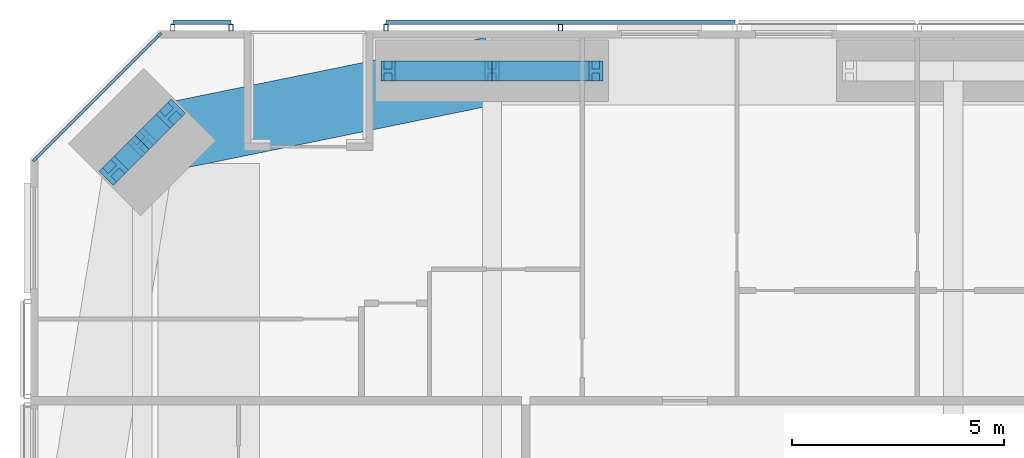
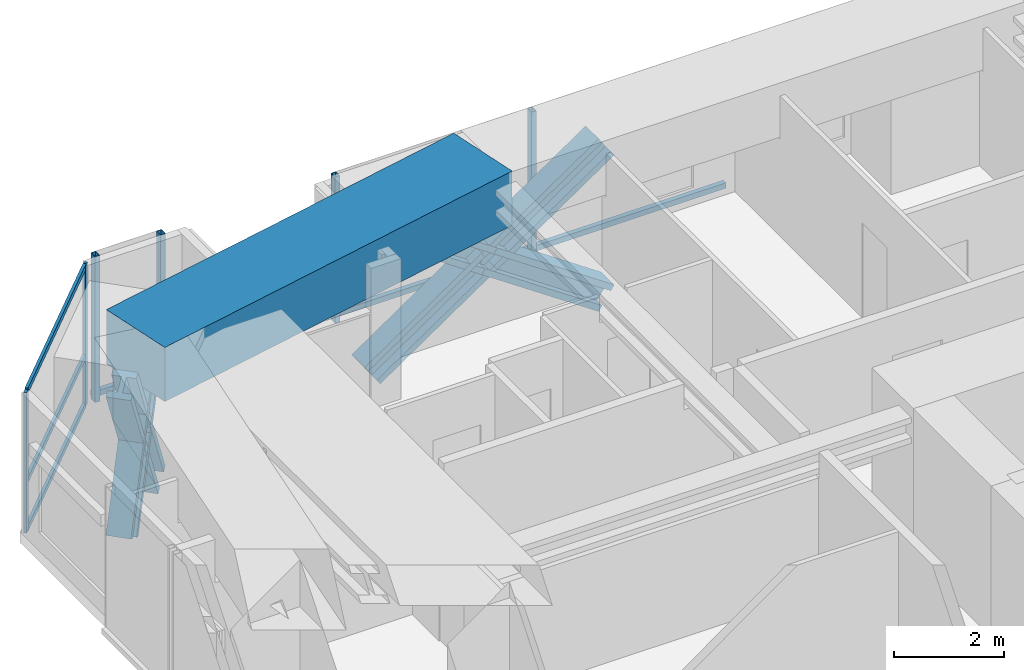
# One storey, part 11 of 23: 19 members, 1 beam, 3 elements without a shape of their own.
"""IFC4 building model written with IfcOpenShell, lengths in metres."""

import ifcopenshell
import ifcopenshell.guid

model = None  # the IFC model being written
_history = None  # IfcOwnerHistory: only IFC2X3 demands one
_inside = {}  # id of a spatial element -> (the spatial element, [elements in it])
_under = {}  # id of a project, library or spatial element -> (it, [spatial elements below it])
_declared = {}  # id of a project -> (the project, [libraries it declares])
_typed = {}  # id of a type object -> (the type object, [elements of that type])
_made_of = {}  # id of a material, layer set ... -> (it, [elements and type objects made of it])


def new_model(schema):
    """Start an empty IFC model of exactly this schema.

    Asked for "IFC4X3", IfcOpenShell would pick the latest addendum, in which some entities
    have other attributes; the version numbers below select the first issue.
    IFC2X3 requires an IfcOwnerHistory on every rooted entity: one is made here for all.
    """
    global model, _history
    if schema == "IFC4X3":
        model = ifcopenshell.file(schema_version=(4, 3, 0, 0))
    else:
        model = ifcopenshell.file(schema=schema)
    _inside.clear()
    _under.clear()
    _declared.clear()
    _typed.clear()
    _made_of.clear()
    _history = None
    if model.schema == "IFC2X3":
        org = make("IfcOrganization", Name="unknown")
        user = make(
            "IfcPersonAndOrganization",
            ThePerson=make("IfcPerson", FamilyName="unknown"),
            TheOrganization=org,
        )
        app = make(
            "IfcApplication",
            ApplicationDeveloper=org,
            Version="unknown",
            ApplicationFullName="unknown",
            ApplicationIdentifier="unknown",
        )
        _history = make(
            "IfcOwnerHistory",
            OwningUser=user,
            OwningApplication=app,
            ChangeAction="ADDED",
            CreationDate=0,
        )
    return model


def make(cls, **values):
    """One entity of the class cls with the attributes given. An attribute that is None is left unset."""
    return model.create_entity(
        cls, **{name: value for name, value in values.items() if value is not None}
    )


def rooted(cls, **values):
    """An entity with a GlobalId (a new one), such as an element, a storey or a relation."""
    return make(cls, GlobalId=ifcopenshell.guid.new(), OwnerHistory=_history, **values)


def si_unit(unit_type, name, prefix=None):
    """IfcSIUnit, for example si_unit("LENGTHUNIT", "METRE", prefix="MILLI")."""
    return make("IfcSIUnit", UnitType=unit_type, Prefix=prefix, Name=name)


def assignment(units):
    """IfcUnitAssignment: the units of a project."""
    return None if units is None else make("IfcUnitAssignment", Units=units)


def point(xyz):
    """IfcCartesianPoint."""
    return None if xyz is None else make("IfcCartesianPoint", Coordinates=xyz)


def direction(xyz):
    """IfcDirection."""
    return None if xyz is None else make("IfcDirection", DirectionRatios=xyz)


def frame(location, z_axis=None, x_axis=None):
    """IfcAxis2Placement3D, a coordinate frame: its origin and axes. An axis left out is left unset."""
    return make(
        "IfcAxis2Placement3D",
        Location=point(location),
        Axis=direction(z_axis),
        RefDirection=direction(x_axis),
    )


def frame_2d(location, x_axis=None):
    """IfcAxis2Placement2D, a coordinate frame in the plane: its origin and x axis."""
    return make(
        "IfcAxis2Placement2D", Location=point(location), RefDirection=direction(x_axis)
    )


def origin():
    """The frame at (0, 0, 0) with its axes left unset."""
    return frame((0.0, 0.0, 0.0))


def origin_2d():
    """The frame at (0, 0) in the plane with its x axis left unset."""
    return frame_2d((0.0, 0.0))


def place(relative_to, where):
    """IfcLocalPlacement: puts the frame where relative to a parent placement (None: the world)."""
    return make(
        "IfcLocalPlacement", PlacementRelTo=relative_to, RelativePlacement=where
    )


def context(
    kind, dimensions, precision=None, world=None, true_north=None, identifier=None
):
    """IfcGeometricRepresentationContext, for example the 3D "Model" context."""
    return make(
        "IfcGeometricRepresentationContext",
        ContextIdentifier=identifier,
        ContextType=kind,
        CoordinateSpaceDimension=dimensions,
        Precision=precision,
        WorldCoordinateSystem=world,
        TrueNorth=true_north,
    )


def subcontext(parent, identifier, kind, view, scale=None):
    """IfcGeometricRepresentationSubContext, for example "Body" below "Model"."""
    return make(
        "IfcGeometricRepresentationSubContext",
        ContextIdentifier=identifier,
        ContextType=kind,
        ParentContext=parent,
        TargetScale=scale,
        TargetView=view,
    )


def project(units=None, contexts=None):
    """IfcProject with its units and contexts."""
    return rooted(
        "IfcProject",
        Name="project",
        RepresentationContexts=contexts,
        UnitsInContext=assignment(units),
    )


def spatial(cls, under=None, at=None, **own):
    """A site, building, storey or space (cls), placed at a placement, below another one or the project."""
    s = rooted(cls, ObjectPlacement=at, **own)
    if under is not None:
        _under.setdefault(under.id(), (under, []))[1].append(s)
    return s


def profile(cls, at=None, kind="AREA", **sizes):
    """A parametric profile (cls). Its sizes go by their IFC names, for example OverallWidth=200.0."""
    return make(cls, ProfileType=kind, Position=at, **sizes)


def rectangle(**sizes):
    """IfcRectangleProfileDef."""
    return profile("IfcRectangleProfileDef", **sizes)


def hollow_rectangle(**sizes):
    """IfcRectangleHollowProfileDef."""
    return profile("IfcRectangleHollowProfileDef", **sizes)


def i_section(**sizes):
    """IfcIShapeProfileDef."""
    return profile("IfcIShapeProfileDef", **sizes)


def extrude(swept, where, along, depth):
    """IfcExtrudedAreaSolid: the profile swept, set in the frame where, extruded along a direction by depth."""
    return make(
        "IfcExtrudedAreaSolid",
        SweptArea=swept,
        Position=where,
        ExtrudedDirection=direction(along),
        Depth=depth,
    )


def shape(context_of_items, identifier, shape_type, items):
    """IfcShapeRepresentation: the items that make up one representation, for example the "Body"."""
    return make(
        "IfcShapeRepresentation",
        ContextOfItems=context_of_items,
        RepresentationIdentifier=identifier,
        RepresentationType=shape_type,
        Items=items,
    )


def material(Name=None, Category=None):
    """IfcMaterial."""
    return make("IfcMaterial", Name=Name, Category=Category)


def material_profile(
    of_material, cross_section, Name=None, Category=None, Priority=None
):
    """IfcMaterialProfile: a cross section and its material."""
    return make(
        "IfcMaterialProfile",
        Name=Name,
        Material=of_material,
        Profile=cross_section,
        Priority=Priority,
        Category=Category,
    )


def profile_set(profiles, Name=None, composite=None):
    """IfcMaterialProfileSet."""
    return make(
        "IfcMaterialProfileSet",
        Name=Name,
        MaterialProfiles=profiles,
        CompositeProfile=composite,
    )


def made_of(thing, what):
    """Note that an element or type object is made of a material, layer set ...; save() writes the relation."""
    if what is not None:
        _made_of.setdefault(what.id(), (what, []))[1].append(thing)
    return thing


def type_object(cls, material=None, **own):
    """A type object (cls), such as IfcWallType, which elements share."""
    return made_of(rooted(cls, **own), material)


def element(
    cls,
    number,
    at=None,
    inside=None,
    cuts=None,
    type_object=None,
    material=None,
    context=None,
    identifier="Body",
    shape_type=None,
    held_by="IfcProductDefinitionShape",
    body=None,
    shapes=None,
    **own,
):
    """One element of the class cls, such as IfcWall. Its Tag is "e" and its number.

    at: its placement. inside: the storey or other place that contains it. cuts: it is an
    opening in that element (IfcRelVoidsElement). A single representation is given by context,
    identifier, shape_type and body (its items); several are given by shapes. held_by: the class
    of the entity that holds the representations. save() writes the other relations.
    """
    e = rooted(cls, Tag="e%d" % number, ObjectPlacement=at, **own)
    if body is not None:
        shapes = [shape(context, identifier, shape_type, body)]
    if shapes is not None:
        e.Representation = make(held_by, Representations=shapes)
    if inside is not None:
        _inside.setdefault(inside.id(), (inside, []))[1].append(e)
    if cuts is not None:
        rooted(
            "IfcRelVoidsElement", RelatingBuildingElement=cuts, RelatedOpeningElement=e
        )
    if type_object is not None:
        _typed.setdefault(type_object.id(), (type_object, []))[1].append(e)
    return made_of(e, material)


def aggregate(whole, parts):
    """IfcRelAggregates: a whole, such as a stair, and the parts it consists of."""
    return rooted("IfcRelAggregates", RelatingObject=whole, RelatedObjects=parts)


def save(model, path):
    """Write the relations noted so far, then the file.

    IfcRelAggregates (storeys below a building ...), IfcRelContainedInSpatialStructure (elements
    in a storey), IfcRelDefinesByType, IfcRelAssociatesMaterial and IfcRelDeclares: one each for
    every whole, place, type object, material and project.
    """
    for whole, parts in _under.values():
        aggregate(whole, parts)
    for where, things in _inside.values():
        rooted(
            "IfcRelContainedInSpatialStructure",
            RelatedElements=things,
            RelatingStructure=where,
        )
    for kind, things in _typed.values():
        rooted("IfcRelDefinesByType", RelatedObjects=things, RelatingType=kind)
    for what, things in _made_of.values():
        rooted("IfcRelAssociatesMaterial", RelatedObjects=things, RelatingMaterial=what)
    for by, libraries in _declared.values():
        rooted("IfcRelDeclares", RelatingContext=by, RelatedDefinitions=libraries)
    model.write(path)


model = new_model("IFC4")

# Units and contexts
model_context = context("Model", 3, precision=1e-05, world=origin(), true_north=direction((0.0, 1.0)))
body_context = subcontext(model_context, "Body", "Model", "MODEL_VIEW")
ifc_project = project(units=[si_unit("LENGTHUNIT", "METRE"), si_unit("AREAUNIT", "SQUARE_METRE"), si_unit("VOLUMEUNIT", "CUBIC_METRE"), si_unit("PLANEANGLEUNIT", "RADIAN"), si_unit("MASSUNIT", "GRAM", prefix="KILO")], contexts=[model_context])

# Site, building, storey
site_placement = place(None, origin())
site = spatial("IfcSite", under=ifc_project, at=site_placement, CompositionType="ELEMENT")
building_placement = place(site_placement, origin())
building = spatial("IfcBuilding", under=site, at=building_placement, Name="Jalousie Tower", CompositionType="ELEMENT")
storey_placement = place(building_placement, frame((0.0, 0.0, 121.60009765625)))
storey = spatial("IfcBuildingStorey", under=building, at=storey_placement, Name="L33", CompositionType="ELEMENT", Elevation=121.60009765625)

# Curtain wall, members
ifc_material_1 = material(Name="Aluminium curtain wall", Category="aluminium")
curtain_wall_type_1 = type_object("IfcCurtainWallType", Name="CORNER WINDOW WALL", PredefinedType="USERDEFINED", material=ifc_material_1)
curtain_wall_1_placement = place(storey_placement, origin())
curtain_wall_1 = element("IfcCurtainWall", 1, at=curtain_wall_1_placement, inside=storey, type_object=curtain_wall_type_1, Name="Corner Window Wall L33 6", ObjectType="CORNER WINDOW WALL", PredefinedType="USERDEFINED")
ifc_material_2 = material(Name="Aluminium mullion", Category="aluminium")
ifc_material_profile_1 = material_profile(ifc_material_2, rectangle(XDim=0.06005859375, YDim=0.14990234375, at=origin_2d()), Name="MULLION 60x150")
ifc_profile_set_1 = profile_set([ifc_material_profile_1], Name="Aluminium mullion")
member_type_1 = type_object("IfcMemberType", Name="CORNER WINDOW WALL MULLION", PredefinedType="MULLION", material=ifc_profile_set_1)
member_1_placement = place(storey_placement, frame((9.030029296875, 37.891357421875, 0.0), z_axis=(0.0, 0.0, 1.0), x_axis=(0.707106781187, -0.707106781187, 0.0)))
member_1 = element("IfcMember", 2, at=member_1_placement, type_object=member_type_1, Name="CW-C mullion 1", PredefinedType="MULLION", context=body_context, shape_type="SweptSolid", body=[
    extrude(rectangle(XDim=0.06005859375, YDim=0.14990234375, at=origin_2d()), origin(), (0.0, 0.0, 1.0), 3.10986328125),
])
member_2_placement = place(storey_placement, frame((6.108642578125, 34.969970703125, 0.0), z_axis=(0.0, 0.0, 1.0), x_axis=(0.707106781187, -0.707106781187, 0.0)))
member_2 = element("IfcMember", 3, at=member_2_placement, type_object=member_type_1, Name="CW-C mullion 2", PredefinedType="MULLION", context=body_context, shape_type="SweptSolid", body=[
    extrude(rectangle(XDim=0.06005859375, YDim=0.14990234375, at=origin_2d()), origin(), (0.0, 0.0, 1.0), 3.10986328125),
])
ifc_material_3 = material(Name="Aluminium transom", Category="aluminium")
ifc_material_profile_2 = material_profile(ifc_material_3, rectangle(XDim=0.06005859375, YDim=0.1201171875, at=origin_2d()), Name="TRANSOM 60x120")
ifc_profile_set_2 = profile_set([ifc_material_profile_2], Name="Aluminium transom")
member_type_2 = type_object("IfcMemberType", Name="CORNER WINDOW WALL TRANSOM", PredefinedType="USERDEFINED", material=ifc_profile_set_2)
member_3_placement = place(storey_placement, frame((9.0087890625, 37.8701171875, 0.02978515625), z_axis=(-0.707106781187, -0.707106781187, 0.0), x_axis=(0.707106781187, -0.707106781187, 0.0)))
member_3 = element("IfcMember", 4, at=member_3_placement, type_object=member_type_2, Name="CW-C transom 1.1", ObjectType="TRANSOM", PredefinedType="USERDEFINED", context=body_context, shape_type="SweptSolid", body=[
    extrude(rectangle(XDim=0.06005859375, YDim=0.1201171875, at=origin_2d()), origin(), (0.0, 0.0, 1.0), 4.0712890625),
])
member_4_placement = place(storey_placement, frame((9.0087890625, 37.8701171875, 1.099853515625), z_axis=(-0.707106781187, -0.707106781187, 0.0), x_axis=(0.707106781187, -0.707106781187, 0.0)))
member_4 = element("IfcMember", 5, at=member_4_placement, type_object=member_type_2, Name="CW-C transom 1.2", ObjectType="TRANSOM", PredefinedType="USERDEFINED", context=body_context, shape_type="SweptSolid", body=[
    extrude(rectangle(XDim=0.06005859375, YDim=0.1201171875, at=origin_2d()), origin(), (0.0, 0.0, 1.0), 4.0712890625),
])
member_5_placement = place(storey_placement, frame((9.0087890625, 37.8701171875, 3.079833984375), z_axis=(-0.707106781187, -0.707106781187, 0.0), x_axis=(0.707106781187, -0.707106781187, 0.0)))
member_5 = element("IfcMember", 6, at=member_5_placement, type_object=member_type_2, Name="CW-C transom 1.3", ObjectType="TRANSOM", PredefinedType="USERDEFINED", context=body_context, shape_type="SweptSolid", body=[
    extrude(rectangle(XDim=0.06005859375, YDim=0.1201171875, at=origin_2d()), origin(), (0.0, 0.0, 1.0), 4.0712890625),
])
aggregate(curtain_wall_1, [member_1, member_2, member_3, member_4, member_5])

# Members
ifc_material_4 = material(Name="Steel ASTM A992 Grade 50", Category="steel")
ifc_material_profile_3 = material_profile(ifc_material_4, i_section(OverallWidth=0.472412109375, OverallDepth=0.5791015625, WebThickness=0.094970703125, FlangeThickness=0.1298828125, at=origin_2d()), Name="W14X808")
ifc_profile_set_3 = profile_set([ifc_material_profile_3], Name="Steel ASTM A992 Grade 50")
member_type_3 = type_object("IfcMemberType", Name="PERIMETER BRACE W14X808", PredefinedType="BRACE", material=ifc_profile_set_3)
for number, where, z_axis, x_axis, name in (
    (7, (14.425048828125, 37.050048828125, -0.60009765625), (0.825500916831, 0.0, 0.564400776321), (0.0, 1.0, 0.0), "Perimeter brace 11 L33 part 1"),
    (8, (16.875, 37.050048828125, 1.074951171875), (0.825500916831, 0.0, 0.564400776321), (0.0, 1.0, 0.0), "Perimeter brace 11 L33 part 2"),
    (9, (19.324951171875, 37.050048828125, -0.60009765625), (-0.825500916831, 0.0, 0.564400776321), (0.0, -1.0, 0.0), "Perimeter brace 11 L33 part 3"),
    (10, (16.875, 37.050048828125, 1.074951171875), (-0.825500916831, 0.0, 0.564400776321), (0.0, -1.0, 0.0), "Perimeter brace 11 L33 part 4"),
):
    element("IfcMember", number, at=place(storey_placement, frame(where, z_axis=z_axis, x_axis=x_axis)), inside=storey, type_object=member_type_3, Name=name, PredefinedType="BRACE", context=body_context, shape_type="SweptSolid", body=[
        extrude(i_section(OverallWidth=0.472412109375, OverallDepth=0.5791015625, WebThickness=0.094970703125, FlangeThickness=0.1298828125, at=origin_2d()), origin(), (0.0, 0.0, 1.0), 2.9677734375),
    ])
for number, where, z_axis, x_axis, name in (
    (11, (9.302978515625, 36.040283203125, -0.60009765625), (-0.348789058631, -0.348789058631, 0.869880672943), (0.707106781187, -0.707106781187, 0.0), "Perimeter brace 12 L33 part 1"),
    (12, (8.63134765625, 35.36865234375, 1.074951171875), (-0.348789058631, -0.348789058631, 0.869880672943), (0.707106781187, -0.707106781187, 0.0), "Perimeter brace 12 L33 part 2"),
    (13, (7.959716796875, 34.697021484375, -0.60009765625), (0.348789058631, 0.348789058631, 0.869880672943), (-0.707106781187, 0.707106781187, 0.0), "Perimeter brace 12 L33 part 3"),
    (14, (8.63134765625, 35.36865234375, 1.074951171875), (0.348789058631, 0.348789058631, 0.869880672943), (-0.707106781187, 0.707106781187, 0.0), "Perimeter brace 12 L33 part 4"),
):
    element("IfcMember", number, at=place(storey_placement, frame(where, z_axis=z_axis, x_axis=x_axis)), inside=storey, type_object=member_type_3, Name=name, PredefinedType="BRACE", context=body_context, shape_type="SweptSolid", body=[
        extrude(i_section(OverallWidth=0.472412109375, OverallDepth=0.5791015625, WebThickness=0.094970703125, FlangeThickness=0.1298828125, at=origin_2d()), origin(), (0.0, 0.0, 1.0), 1.925537109375),
    ])

# Beam
ifc_material_5 = material(Name="Concrete f'c 40 MPa", Category="concrete")
ifc_material_profile_4 = material_profile(ifc_material_5, rectangle(XDim=1.60009765625, YDim=1.199951171875, at=origin_2d()), Name="RC 1600x1200")
ifc_profile_set_4 = profile_set([ifc_material_profile_4], Name="Concrete f'c 40 MPa")
beam_type = type_object("IfcBeamType", Name="RC BEAM 1600x1200", PredefinedType="BEAM", material=ifc_profile_set_4)
beam_placement = place(storey_placement, frame((16.875, 37.050048828125, 2.75), z_axis=(-0.97982690954, -0.199848010602, 0.0), x_axis=(0.199848010602, -0.97982690954, 0.0)))
element("IfcBeam", 15, at=beam_placement, inside=storey, type_object=beam_type, Name="Edge band beam 11-12 under L34", PredefinedType="BEAM", context=body_context, shape_type="SweptSolid", body=[
    extrude(rectangle(XDim=1.60009765625, YDim=1.199951171875, at=origin_2d()), origin(), (0.0, 0.0, 1.0), 8.413330078125),
])

# Curtain wall, members
ifc_material_6 = material(Name="Perforated aluminium sheet", Category="aluminium")
curtain_wall_type_2 = type_object("IfcCurtainWallType", Name="SOLAR SCREEN SS-1", PredefinedType="USERDEFINED", material=ifc_material_6)
curtain_wall_2_placement = place(storey_placement, origin())
curtain_wall_2 = element("IfcCurtainWall", 16, at=curtain_wall_2_placement, inside=storey, type_object=curtain_wall_type_2, Name="Solar screen L33", ObjectType="SOLAR SCREEN SS-1", PredefinedType="USERDEFINED")
ifc_material_7 = material(Name="Steel ASTM A500 Grade C", Category="steel")
ifc_material_profile_5 = material_profile(ifc_material_7, hollow_rectangle(XDim=0.1015625, YDim=0.15234375, WallThickness=0.00634765625, at=origin_2d()), Name="HSS6X4X1/4")
ifc_profile_set_5 = profile_set([ifc_material_profile_5], Name="Steel ASTM A500 Grade C")
member_type_4 = type_object("IfcMemberType", Name="SOLAR SCREEN SS-1 MULLION", PredefinedType="MULLION", material=ifc_profile_set_5)
member_6_placement = place(storey_placement, frame((18.487548828125, 38.0712890625, -0.1201171875), z_axis=(0.0, 0.0, 1.0), x_axis=(-1.0, 0.0, 0.0)))
member_6 = element("IfcMember", 17, at=member_6_placement, type_object=member_type_4, Name="SS1 post 2", PredefinedType="MULLION", context=body_context, shape_type="SweptSolid", body=[
    extrude(hollow_rectangle(XDim=0.1015625, YDim=0.15234375, WallThickness=0.00634765625, at=origin_2d()), origin(), (0.0, 0.0, 1.0), 3.22998046875),
])
member_7_placement = place(storey_placement, frame((14.375, 38.0712890625, -0.1201171875), z_axis=(0.0, 0.0, 1.0), x_axis=(-1.0, 0.0, 0.0)))
member_7 = element("IfcMember", 18, at=member_7_placement, type_object=member_type_4, Name="SS1 post 3", PredefinedType="MULLION", context=body_context, shape_type="SweptSolid", body=[
    extrude(hollow_rectangle(XDim=0.1015625, YDim=0.15234375, WallThickness=0.00634765625, at=origin_2d()), origin(), (0.0, 0.0, 1.0), 3.22998046875),
])

curtain_wall_3_placement = place(storey_placement, origin())
curtain_wall_3 = element("IfcCurtainWall", 19, at=curtain_wall_3_placement, inside=storey, type_object=curtain_wall_type_2, Name="Solar screen L33", ObjectType="SOLAR SCREEN SS-1", PredefinedType="USERDEFINED")
member_8_placement = place(storey_placement, frame((10.72509765625, 38.0712890625, -0.1201171875), z_axis=(0.0, 0.0, 1.0), x_axis=(-1.0, 0.0, 0.0)))
member_8 = element("IfcMember", 20, at=member_8_placement, type_object=member_type_4, Name="SS1 post 1", PredefinedType="MULLION", context=body_context, shape_type="SweptSolid", body=[
    extrude(hollow_rectangle(XDim=0.1015625, YDim=0.15234375, WallThickness=0.00634765625, at=origin_2d()), origin(), (0.0, 0.0, 1.0), 3.22998046875),
])
member_9_placement = place(storey_placement, frame((9.351318359375, 38.0712890625, -0.1201171875), z_axis=(0.0, 0.0, 1.0), x_axis=(-1.0, 0.0, 0.0)))
member_9 = element("IfcMember", 21, at=member_9_placement, type_object=member_type_4, Name="SS1 post 2", PredefinedType="MULLION", context=body_context, shape_type="SweptSolid", body=[
    extrude(hollow_rectangle(XDim=0.1015625, YDim=0.15234375, WallThickness=0.00634765625, at=origin_2d()), origin(), (0.0, 0.0, 1.0), 3.22998046875),
])

# Member
ifc_material_8 = material(Name="Extruded aluminium screen rail", Category="aluminium")
ifc_material_profile_6 = material_profile(ifc_material_8, rectangle(XDim=0.1015625, YDim=0.1201171875, at=origin_2d()), Name="RAIL 102x120")
ifc_profile_set_6 = profile_set([ifc_material_profile_6], Name="Extruded aluminium screen rail")
member_type_5 = type_object("IfcMemberType", Name="SOLAR SCREEN SS-1 TRANSOM", PredefinedType="USERDEFINED", material=ifc_profile_set_6)
member_10_placement = place(storey_placement, frame((22.60009765625, 38.1982421875, -0.06005859375), z_axis=(-1.0, 0.0, 0.0), x_axis=(0.0, -1.0, 0.0)))
member_10 = element("IfcMember", 22, at=member_10_placement, type_object=member_type_5, Name="SS1 rail", ObjectType="TRANSOM", PredefinedType="USERDEFINED", context=body_context, shape_type="SweptSolid", body=[
    extrude(rectangle(XDim=0.1015625, YDim=0.1201171875, at=origin_2d()), origin(), (0.0, 0.0, 1.0), 8.22509765625),
])

aggregate(curtain_wall_2, [member_6, member_7, member_10])

member_11_placement = place(storey_placement, frame((10.72509765625, 38.1982421875, -0.06005859375), z_axis=(-1.0, 0.0, 0.0), x_axis=(0.0, -1.0, 0.0)))
member_11 = element("IfcMember", 23, at=member_11_placement, type_object=member_type_5, Name="SS1 rail", ObjectType="TRANSOM", PredefinedType="USERDEFINED", context=body_context, shape_type="SweptSolid", body=[
    extrude(rectangle(XDim=0.1015625, YDim=0.1201171875, at=origin_2d()), origin(), (0.0, 0.0, 1.0), 1.373779296875),
])

aggregate(curtain_wall_3, [member_8, member_9, member_11])

save(model, "model.ifc")
